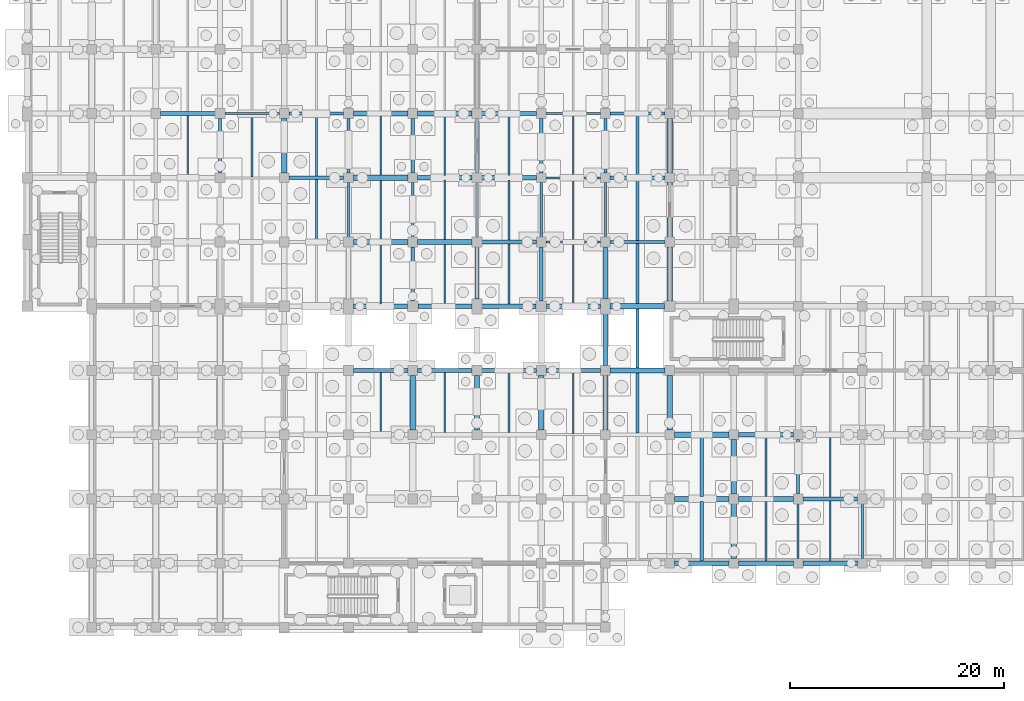
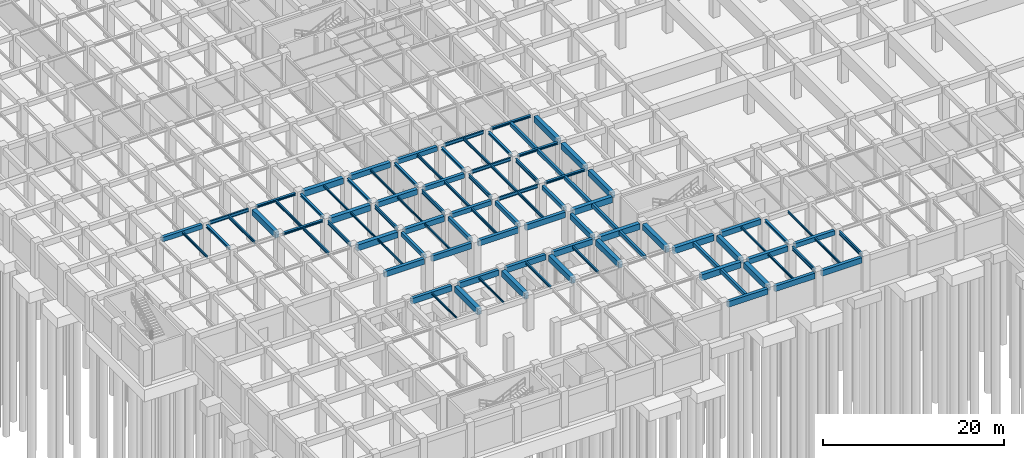
# One storey, part 27 of 54: 98 beams.
"""IFC4 building model written with IfcOpenShell, lengths in metres."""

import ifcopenshell
import ifcopenshell.guid

model = None  # the IFC model being written
_history = None  # IfcOwnerHistory: only IFC2X3 demands one
_inside = {}  # id of a spatial element -> (the spatial element, [elements in it])
_under = {}  # id of a project, library or spatial element -> (it, [spatial elements below it])
_declared = {}  # id of a project -> (the project, [libraries it declares])
_typed = {}  # id of a type object -> (the type object, [elements of that type])
_made_of = {}  # id of a material, layer set ... -> (it, [elements and type objects made of it])


def new_model(schema):
    """Start an empty IFC model of exactly this schema.

    Asked for "IFC4X3", IfcOpenShell would pick the latest addendum, in which some entities
    have other attributes; the version numbers below select the first issue.
    IFC2X3 requires an IfcOwnerHistory on every rooted entity: one is made here for all.
    """
    global model, _history
    if schema == "IFC4X3":
        model = ifcopenshell.file(schema_version=(4, 3, 0, 0))
    else:
        model = ifcopenshell.file(schema=schema)
    _inside.clear()
    _under.clear()
    _declared.clear()
    _typed.clear()
    _made_of.clear()
    _history = None
    if model.schema == "IFC2X3":
        org = make("IfcOrganization", Name="unknown")
        user = make(
            "IfcPersonAndOrganization",
            ThePerson=make("IfcPerson", FamilyName="unknown"),
            TheOrganization=org,
        )
        app = make(
            "IfcApplication",
            ApplicationDeveloper=org,
            Version="unknown",
            ApplicationFullName="unknown",
            ApplicationIdentifier="unknown",
        )
        _history = make(
            "IfcOwnerHistory",
            OwningUser=user,
            OwningApplication=app,
            ChangeAction="ADDED",
            CreationDate=0,
        )
    return model


def make(cls, **values):
    """One entity of the class cls with the attributes given. An attribute that is None is left unset."""
    return model.create_entity(
        cls, **{name: value for name, value in values.items() if value is not None}
    )


def rooted(cls, **values):
    """An entity with a GlobalId (a new one), such as an element, a storey or a relation."""
    return make(cls, GlobalId=ifcopenshell.guid.new(), OwnerHistory=_history, **values)


def si_unit(unit_type, name, prefix=None):
    """IfcSIUnit, for example si_unit("LENGTHUNIT", "METRE", prefix="MILLI")."""
    return make("IfcSIUnit", UnitType=unit_type, Prefix=prefix, Name=name)


def assignment(units):
    """IfcUnitAssignment: the units of a project."""
    return None if units is None else make("IfcUnitAssignment", Units=units)


def point(xyz):
    """IfcCartesianPoint."""
    return None if xyz is None else make("IfcCartesianPoint", Coordinates=xyz)


def direction(xyz):
    """IfcDirection."""
    return None if xyz is None else make("IfcDirection", DirectionRatios=xyz)


def frame(location, z_axis=None, x_axis=None):
    """IfcAxis2Placement3D, a coordinate frame: its origin and axes. An axis left out is left unset."""
    return make(
        "IfcAxis2Placement3D",
        Location=point(location),
        Axis=direction(z_axis),
        RefDirection=direction(x_axis),
    )


def frame_2d(location, x_axis=None):
    """IfcAxis2Placement2D, a coordinate frame in the plane: its origin and x axis."""
    return make(
        "IfcAxis2Placement2D", Location=point(location), RefDirection=direction(x_axis)
    )


def origin():
    """The frame at (0, 0, 0) with its axes left unset."""
    return frame((0.0, 0.0, 0.0))


def origin_2d():
    """The frame at (0, 0) in the plane with its x axis left unset."""
    return frame_2d((0.0, 0.0))


def place(relative_to, where):
    """IfcLocalPlacement: puts the frame where relative to a parent placement (None: the world)."""
    return make(
        "IfcLocalPlacement", PlacementRelTo=relative_to, RelativePlacement=where
    )


def context(
    kind, dimensions, precision=None, world=None, true_north=None, identifier=None
):
    """IfcGeometricRepresentationContext, for example the 3D "Model" context."""
    return make(
        "IfcGeometricRepresentationContext",
        ContextIdentifier=identifier,
        ContextType=kind,
        CoordinateSpaceDimension=dimensions,
        Precision=precision,
        WorldCoordinateSystem=world,
        TrueNorth=true_north,
    )


def subcontext(parent, identifier, kind, view, scale=None):
    """IfcGeometricRepresentationSubContext, for example "Body" below "Model"."""
    return make(
        "IfcGeometricRepresentationSubContext",
        ContextIdentifier=identifier,
        ContextType=kind,
        ParentContext=parent,
        TargetScale=scale,
        TargetView=view,
    )


def project(units=None, contexts=None):
    """IfcProject with its units and contexts."""
    return rooted(
        "IfcProject",
        Name="project",
        RepresentationContexts=contexts,
        UnitsInContext=assignment(units),
    )


def spatial(cls, under=None, at=None, **own):
    """A site, building, storey or space (cls), placed at a placement, below another one or the project."""
    s = rooted(cls, ObjectPlacement=at, **own)
    if under is not None:
        _under.setdefault(under.id(), (under, []))[1].append(s)
    return s


def profile(cls, at=None, kind="AREA", **sizes):
    """A parametric profile (cls). Its sizes go by their IFC names, for example OverallWidth=200.0."""
    return make(cls, ProfileType=kind, Position=at, **sizes)


def rectangle(**sizes):
    """IfcRectangleProfileDef."""
    return profile("IfcRectangleProfileDef", **sizes)


def i_section(**sizes):
    """IfcIShapeProfileDef."""
    return profile("IfcIShapeProfileDef", **sizes)


def extrude(swept, where, along, depth):
    """IfcExtrudedAreaSolid: the profile swept, set in the frame where, extruded along a direction by depth."""
    return make(
        "IfcExtrudedAreaSolid",
        SweptArea=swept,
        Position=where,
        ExtrudedDirection=direction(along),
        Depth=depth,
    )


def shape(context_of_items, identifier, shape_type, items):
    """IfcShapeRepresentation: the items that make up one representation, for example the "Body"."""
    return make(
        "IfcShapeRepresentation",
        ContextOfItems=context_of_items,
        RepresentationIdentifier=identifier,
        RepresentationType=shape_type,
        Items=items,
    )


def material(Name=None, Category=None):
    """IfcMaterial."""
    return make("IfcMaterial", Name=Name, Category=Category)


def material_profile(
    of_material, cross_section, Name=None, Category=None, Priority=None
):
    """IfcMaterialProfile: a cross section and its material."""
    return make(
        "IfcMaterialProfile",
        Name=Name,
        Material=of_material,
        Profile=cross_section,
        Priority=Priority,
        Category=Category,
    )


def profile_set(profiles, Name=None, composite=None):
    """IfcMaterialProfileSet."""
    return make(
        "IfcMaterialProfileSet",
        Name=Name,
        MaterialProfiles=profiles,
        CompositeProfile=composite,
    )


def made_of(thing, what):
    """Note that an element or type object is made of a material, layer set ...; save() writes the relation."""
    if what is not None:
        _made_of.setdefault(what.id(), (what, []))[1].append(thing)
    return thing


def type_object(cls, material=None, **own):
    """A type object (cls), such as IfcWallType, which elements share."""
    return made_of(rooted(cls, **own), material)


def element(
    cls,
    number,
    at=None,
    inside=None,
    cuts=None,
    type_object=None,
    material=None,
    context=None,
    identifier="Body",
    shape_type=None,
    held_by="IfcProductDefinitionShape",
    body=None,
    shapes=None,
    **own,
):
    """One element of the class cls, such as IfcWall. Its Tag is "e" and its number.

    at: its placement. inside: the storey or other place that contains it. cuts: it is an
    opening in that element (IfcRelVoidsElement). A single representation is given by context,
    identifier, shape_type and body (its items); several are given by shapes. held_by: the class
    of the entity that holds the representations. save() writes the other relations.
    """
    e = rooted(cls, Tag="e%d" % number, ObjectPlacement=at, **own)
    if body is not None:
        shapes = [shape(context, identifier, shape_type, body)]
    if shapes is not None:
        e.Representation = make(held_by, Representations=shapes)
    if inside is not None:
        _inside.setdefault(inside.id(), (inside, []))[1].append(e)
    if cuts is not None:
        rooted(
            "IfcRelVoidsElement", RelatingBuildingElement=cuts, RelatedOpeningElement=e
        )
    if type_object is not None:
        _typed.setdefault(type_object.id(), (type_object, []))[1].append(e)
    return made_of(e, material)


def aggregate(whole, parts):
    """IfcRelAggregates: a whole, such as a stair, and the parts it consists of."""
    return rooted("IfcRelAggregates", RelatingObject=whole, RelatedObjects=parts)


def save(model, path):
    """Write the relations noted so far, then the file.

    IfcRelAggregates (storeys below a building ...), IfcRelContainedInSpatialStructure (elements
    in a storey), IfcRelDefinesByType, IfcRelAssociatesMaterial and IfcRelDeclares: one each for
    every whole, place, type object, material and project.
    """
    for whole, parts in _under.values():
        aggregate(whole, parts)
    for where, things in _inside.values():
        rooted(
            "IfcRelContainedInSpatialStructure",
            RelatedElements=things,
            RelatingStructure=where,
        )
    for kind, things in _typed.values():
        rooted("IfcRelDefinesByType", RelatedObjects=things, RelatingType=kind)
    for what, things in _made_of.values():
        rooted("IfcRelAssociatesMaterial", RelatedObjects=things, RelatingMaterial=what)
    for by, libraries in _declared.values():
        rooted("IfcRelDeclares", RelatingContext=by, RelatedDefinitions=libraries)
    model.write(path)


model = new_model("IFC4")

# Units and contexts
model_context = context("Model", 3, precision=1e-05, world=origin(), true_north=direction((0.0, 1.0)))
body_context = subcontext(model_context, "Body", "Model", "MODEL_VIEW")
ifc_project = project(units=[si_unit("LENGTHUNIT", "METRE"), si_unit("AREAUNIT", "SQUARE_METRE"), si_unit("VOLUMEUNIT", "CUBIC_METRE"), si_unit("PLANEANGLEUNIT", "RADIAN"), si_unit("MASSUNIT", "GRAM", prefix="KILO"), si_unit("THERMODYNAMICTEMPERATUREUNIT", "KELVIN"), si_unit("POWERUNIT", "WATT")], contexts=[model_context])

# Site, building, storey
site_placement = place(None, origin())
site = spatial("IfcSite", under=ifc_project, at=site_placement, CompositionType="ELEMENT")
building_placement = place(site_placement, origin())
building = spatial("IfcBuilding", under=site, at=building_placement, Name="Phaisarnlok Congress Hotel", CompositionType="ELEMENT")
storey_placement = place(building_placement, frame((0.0, 0.0, -4.800048828125)))
storey = spatial("IfcBuildingStorey", under=building, at=storey_placement, Name="B01", CompositionType="ELEMENT", Elevation=-4.800048828125)

# Beams
ifc_material_1 = material(Name="Concrete C40/50", Category="concrete")
ifc_material_profile_1 = material_profile(ifc_material_1, rectangle(XDim=0.35009765625, YDim=0.550048828125, at=origin_2d()), Name="RC 350x550")
ifc_profile_set_1 = profile_set([ifc_material_profile_1], Name="Concrete C40/50")
beam_type_1 = type_object("IfcBeamType", Name="BM-RC-350x550", PredefinedType="BEAM", material=ifc_profile_set_1)
beam_1_placement = place(storey_placement, frame((36.0, 42.4951171875, 4.22509765625), z_axis=(0.0, 1.0, 0.0), x_axis=(-1.0, 0.0, 0.0)))
element("IfcBeam", 1, at=beam_1_placement, inside=storey, type_object=beam_type_1, Name="Beam B-01", PredefinedType="BEAM", context=body_context, shape_type="SweptSolid", body=[
    extrude(rectangle(XDim=0.35009765625, YDim=0.550048828125, at=origin_2d()), origin(), (0.0, 0.0, 1.0), 5.059814453125),
])
beam_2_placement = place(storey_placement, frame((42.0, 42.695068359375, 4.22509765625), z_axis=(0.0, 1.0, 0.0), x_axis=(-1.0, 0.0, 0.0)))
element("IfcBeam", 2, at=beam_2_placement, inside=storey, type_object=beam_type_1, Name="Beam B-01", PredefinedType="BEAM", context=body_context, shape_type="SweptSolid", body=[
    extrude(rectangle(XDim=0.35009765625, YDim=0.550048828125, at=origin_2d()), origin(), (0.0, 0.0, 1.0), 4.85986328125),
])
beam_3_placement = place(storey_placement, frame((48.0, 42.4951171875, 4.22509765625), z_axis=(0.0, 1.0, 0.0), x_axis=(-1.0, 0.0, 0.0)))
element("IfcBeam", 3, at=beam_3_placement, inside=storey, type_object=beam_type_1, Name="Beam B-01", PredefinedType="BEAM", context=body_context, shape_type="SweptSolid", body=[
    extrude(rectangle(XDim=0.35009765625, YDim=0.550048828125, at=origin_2d()), origin(), (0.0, 0.0, 1.0), 5.059814453125),
])
beam_4_placement = place(storey_placement, frame((54.0, 42.695068359375, 4.22509765625), z_axis=(0.0, 1.0, 0.0), x_axis=(-1.0, 0.0, 0.0)))
element("IfcBeam", 4, at=beam_4_placement, inside=storey, type_object=beam_type_1, Name="Beam B-01", PredefinedType="BEAM", context=body_context, shape_type="SweptSolid", body=[
    extrude(rectangle(XDim=0.35009765625, YDim=0.550048828125, at=origin_2d()), origin(), (0.0, 0.0, 1.0), 4.85986328125),
])
ifc_material_profile_2 = material_profile(ifc_material_1, rectangle(XDim=0.39990234375, YDim=0.60009765625, at=origin_2d()), Name="RC 400x600")
ifc_profile_set_2 = profile_set([ifc_material_profile_2], Name="Concrete C40/50")
beam_type_2 = type_object("IfcBeamType", Name="BM-RC-400x600", PredefinedType="BEAM", material=ifc_profile_set_2)
for number, where, z_axis, x_axis, name in (
    (5, (12.445068359375, 60.0, 4.199951171875), (1.0, 0.0, 0.0), (0.0, 1.0, 0.0), "Beam B-02"),
    (6, (42.445068359375, 48.0, 4.199951171875), (1.0, 0.0, 0.0), (0.0, 1.0, 0.0), "Beam B-02"),
    (7, (42.445068359375, 54.0, 4.199951171875), (1.0, 0.0, 0.0), (0.0, 1.0, 0.0), "Beam B-02"),
    (8, (42.445068359375, 60.0, 4.199951171875), (1.0, 0.0, 0.0), (0.0, 1.0, 0.0), "Beam B-02"),
    (9, (72.445068359375, 24.0, 4.199951171875), (1.0, 0.0, 0.0), (0.0, 1.0, 0.0), "Beam B-02"),
):
    element("IfcBeam", number, at=place(storey_placement, frame(where, z_axis=z_axis, x_axis=x_axis)), inside=storey, type_object=beam_type_2, Name=name, PredefinedType="BEAM", context=body_context, shape_type="SweptSolid", body=[
        extrude(rectangle(XDim=0.39990234375, YDim=0.60009765625, at=origin_2d()), origin(), (0.0, 0.0, 1.0), 5.10986328125),
    ])
ifc_material_profile_3 = material_profile(ifc_material_1, rectangle(XDim=0.449951171875, YDim=0.699951171875, at=origin_2d()), Name="RC 450x700")
ifc_profile_set_3 = profile_set([ifc_material_profile_3], Name="Concrete C40/50")
beam_type_3 = type_object("IfcBeamType", Name="BM-RC-450x700", PredefinedType="BEAM", material=ifc_profile_set_3)
for number, where, z_axis, x_axis, name in (
    (10, (36.445068359375, 48.0, 4.150146484375), (1.0, 0.0, 0.0), (0.0, 1.0, 0.0), "Beam B-03"),
    (11, (36.445068359375, 54.0, 4.150146484375), (1.0, 0.0, 0.0), (0.0, 1.0, 0.0), "Beam B-03"),
    (12, (36.445068359375, 60.0, 4.150146484375), (1.0, 0.0, 0.0), (0.0, 1.0, 0.0), "Beam B-03"),
    (13, (66.445068359375, 24.0, 4.150146484375), (1.0, 0.0, 0.0), (0.0, 1.0, 0.0), "Beam B-03"),
    (14, (66.445068359375, 30.0, 4.150146484375), (1.0, 0.0, 0.0), (0.0, 1.0, 0.0), "Beam B-03"),
):
    element("IfcBeam", number, at=place(storey_placement, frame(where, z_axis=z_axis, x_axis=x_axis)), inside=storey, type_object=beam_type_3, Name=name, PredefinedType="BEAM", context=body_context, shape_type="SweptSolid", body=[
        extrude(rectangle(XDim=0.449951171875, YDim=0.699951171875, at=origin_2d()), origin(), (0.0, 0.0, 1.0), 5.10986328125),
    ])
ifc_material_profile_4 = material_profile(ifc_material_1, rectangle(XDim=0.5, YDim=0.800048828125, at=origin_2d()), Name="RC 500x800")
ifc_profile_set_4 = profile_set([ifc_material_profile_4], Name="Concrete C40/50")
beam_type_4 = type_object("IfcBeamType", Name="BM-RC-500x800", PredefinedType="BEAM", material=ifc_profile_set_4)
for number, where, z_axis, x_axis, name in (
    (15, (24.0, 54.445068359375, 4.10009765625), (0.0, 1.0, 0.0), (-1.0, 0.0, 0.0), "Beam B-04"),
    (16, (30.445068359375, 48.0, 4.10009765625), (1.0, 0.0, 0.0), (0.0, 1.0, 0.0), "Beam B-04"),
    (17, (30.445068359375, 54.0, 4.10009765625), (1.0, 0.0, 0.0), (0.0, 1.0, 0.0), "Beam B-04"),
    (18, (30.445068359375, 60.0, 4.10009765625), (1.0, 0.0, 0.0), (0.0, 1.0, 0.0), "Beam B-04"),
    (19, (36.0, 30.445068359375, 4.10009765625), (0.0, 1.0, 0.0), (-1.0, 0.0, 0.0), "Beam B-04"),
    (20, (42.0, 30.445068359375, 4.10009765625), (0.0, 1.0, 0.0), (-1.0, 0.0, 0.0), "Beam B-04"),
    (21, (48.0, 30.445068359375, 4.10009765625), (0.0, 1.0, 0.0), (-1.0, 0.0, 0.0), "Beam B-04"),
    (22, (54.0, 30.445068359375, 4.10009765625), (0.0, 1.0, 0.0), (-1.0, 0.0, 0.0), "Beam B-04"),
    (23, (54.445068359375, 36.0, 4.10009765625), (1.0, 0.0, 0.0), (0.0, 1.0, 0.0), "Beam B-04"),
):
    element("IfcBeam", number, at=place(storey_placement, frame(where, z_axis=z_axis, x_axis=x_axis)), inside=storey, type_object=beam_type_4, Name=name, PredefinedType="BEAM", context=body_context, shape_type="SweptSolid", body=[
        extrude(rectangle(XDim=0.5, YDim=0.800048828125, at=origin_2d()), origin(), (0.0, 0.0, 1.0), 5.10986328125),
    ])
beam_5_placement = place(storey_placement, frame((54.445068359375, 42.0, 4.10009765625), z_axis=(1.0, 0.0, 0.0), x_axis=(0.0, 1.0, 0.0)))
element("IfcBeam", 24, at=beam_5_placement, inside=storey, type_object=beam_type_4, Name="Beam B-04", PredefinedType="BEAM", context=body_context, shape_type="SweptSolid", body=[
    extrude(rectangle(XDim=0.5, YDim=0.800048828125, at=origin_2d()), origin(), (0.0, 0.0, 1.0), 5.059814453125),
])
for number, where, z_axis, x_axis, name in (
    (25, (60.445068359375, 24.0, 4.10009765625), (1.0, 0.0, 0.0), (0.0, 1.0, 0.0), "Beam B-04"),
    (26, (60.445068359375, 30.0, 4.10009765625), (1.0, 0.0, 0.0), (0.0, 1.0, 0.0), "Beam B-04"),
    (27, (60.0, 30.445068359375, 4.10009765625), (0.0, 1.0, 0.0), (-1.0, 0.0, 0.0), "Beam B-04"),
):
    element("IfcBeam", number, at=place(storey_placement, frame(where, z_axis=z_axis, x_axis=x_axis)), inside=storey, type_object=beam_type_4, Name=name, PredefinedType="BEAM", context=body_context, shape_type="SweptSolid", body=[
        extrude(rectangle(XDim=0.5, YDim=0.800048828125, at=origin_2d()), origin(), (0.0, 0.0, 1.0), 5.10986328125),
    ])
beam_6_placement = place(storey_placement, frame((60.0, 42.4951171875, 4.10009765625), z_axis=(0.0, 1.0, 0.0), x_axis=(-1.0, 0.0, 0.0)))
element("IfcBeam", 28, at=beam_6_placement, inside=storey, type_object=beam_type_4, Name="Beam B-04", PredefinedType="BEAM", context=body_context, shape_type="SweptSolid", body=[
    extrude(rectangle(XDim=0.5, YDim=0.800048828125, at=origin_2d()), origin(), (0.0, 0.0, 1.0), 5.059814453125),
])
for number, where, z_axis, x_axis, name in (
    (29, (60.0, 48.445068359375, 4.10009765625), (0.0, 1.0, 0.0), (-1.0, 0.0, 0.0), "Beam B-04"),
    (30, (60.0, 54.445068359375, 4.10009765625), (0.0, 1.0, 0.0), (-1.0, 0.0, 0.0), "Beam B-04"),
    (31, (66.0, 18.445068359375, 4.10009765625), (0.0, 1.0, 0.0), (-1.0, 0.0, 0.0), "Beam B-04"),
    (32, (66.0, 24.445068359375, 4.10009765625), (0.0, 1.0, 0.0), (-1.0, 0.0, 0.0), "Beam B-04"),
):
    element("IfcBeam", number, at=place(storey_placement, frame(where, z_axis=z_axis, x_axis=x_axis)), inside=storey, type_object=beam_type_4, Name=name, PredefinedType="BEAM", context=body_context, shape_type="SweptSolid", body=[
        extrude(rectangle(XDim=0.5, YDim=0.800048828125, at=origin_2d()), origin(), (0.0, 0.0, 1.0), 5.10986328125),
    ])
ifc_material_2 = material(Name="Steel S355", Category="steel")
ifc_material_profile_5 = material_profile(ifc_material_2, i_section(OverallWidth=0.300048828125, OverallDepth=0.2900390625, WebThickness=0.008544921875, FlangeThickness=0.013916015625, FilletRadius=0.027099609375, at=origin_2d()), Name="HEA 300")
ifc_profile_set_5 = profile_set([ifc_material_profile_5], Name="Steel S355")
beam_type_5 = type_object("IfcBeamType", Name="BM-STL-HEA300", PredefinedType="BEAM", material=ifc_profile_set_5)
for number, where, z_axis, x_axis, name in (
    (33, (24.445068359375, 54.0, 4.35498046875), (1.0, 0.0, 0.0), (0.0, 1.0, 0.0), "Beam SB-05"),
    (34, (24.445068359375, 60.0, 4.35498046875), (1.0, 0.0, 0.0), (0.0, 1.0, 0.0), "Beam SB-05"),
    (35, (54.445068359375, 48.0, 4.35498046875), (1.0, 0.0, 0.0), (0.0, 1.0, 0.0), "Beam SB-05"),
    (36, (54.445068359375, 54.0, 4.35498046875), (1.0, 0.0, 0.0), (0.0, 1.0, 0.0), "Beam SB-05"),
    (37, (54.445068359375, 60.0, 4.35498046875), (1.0, 0.0, 0.0), (0.0, 1.0, 0.0), "Beam SB-05"),
):
    element("IfcBeam", number, at=place(storey_placement, frame(where, z_axis=z_axis, x_axis=x_axis)), inside=storey, type_object=beam_type_5, Name=name, PredefinedType="BEAM", context=body_context, shape_type="SweptSolid", body=[
        extrude(i_section(OverallWidth=0.300048828125, OverallDepth=0.2900390625, WebThickness=0.008544921875, FlangeThickness=0.013916015625, FilletRadius=0.027099609375, at=origin_2d()), origin(), (0.0, 0.0, 1.0), 5.10986328125),
    ])
ifc_material_profile_6 = material_profile(ifc_material_2, i_section(OverallWidth=0.300048828125, OverallDepth=0.340087890625, WebThickness=0.011962890625, FlangeThickness=0.021484375, FilletRadius=0.027099609375, at=origin_2d()), Name="HEB 340")
ifc_profile_set_6 = profile_set([ifc_material_profile_6], Name="Steel S355")
beam_type_6 = type_object("IfcBeamType", Name="BM-STL-HEB340", PredefinedType="BEAM", material=ifc_profile_set_6)
for number, where, z_axis, x_axis, name in (
    (38, (18.0, 54.445068359375, 4.330078125), (0.0, 1.0, 0.0), (-1.0, 0.0, 0.0), "Beam SB-07"),
    (39, (30.0, 54.445068359375, 4.330078125), (0.0, 1.0, 0.0), (-1.0, 0.0, 0.0), "Beam SB-07"),
    (40, (36.0, 54.445068359375, 4.330078125), (0.0, 1.0, 0.0), (-1.0, 0.0, 0.0), "Beam SB-07"),
    (41, (42.0, 54.445068359375, 4.330078125), (0.0, 1.0, 0.0), (-1.0, 0.0, 0.0), "Beam SB-07"),
    (42, (48.0, 54.445068359375, 4.330078125), (0.0, 1.0, 0.0), (-1.0, 0.0, 0.0), "Beam SB-07"),
    (43, (54.0, 54.445068359375, 4.330078125), (0.0, 1.0, 0.0), (-1.0, 0.0, 0.0), "Beam SB-07"),
    (44, (72.0, 24.445068359375, 4.330078125), (0.0, 1.0, 0.0), (-1.0, 0.0, 0.0), "Beam SB-07"),
):
    element("IfcBeam", number, at=place(storey_placement, frame(where, z_axis=z_axis, x_axis=x_axis)), inside=storey, type_object=beam_type_6, Name=name, PredefinedType="BEAM", context=body_context, shape_type="SweptSolid", body=[
        extrude(i_section(OverallWidth=0.300048828125, OverallDepth=0.340087890625, WebThickness=0.011962890625, FlangeThickness=0.021484375, FilletRadius=0.027099609375, at=origin_2d()), origin(), (0.0, 0.0, 1.0), 5.10986328125),
    ])
ifc_material_profile_7 = material_profile(ifc_material_2, i_section(OverallWidth=0.18994140625, OverallDepth=0.449951171875, WebThickness=0.009521484375, FlangeThickness=0.0146484375, FilletRadius=0.02099609375, at=origin_2d()), Name="IPE 450")
ifc_profile_set_7 = profile_set([ifc_material_profile_7], Name="Steel S355")
beam_type_7 = type_object("IfcBeamType", Name="BM-STL-IPE450", PredefinedType="BEAM", material=ifc_profile_set_7)
for number, where, z_axis, x_axis, name in (
    (45, (18.445068359375, 60.0, 4.275146484375), (1.0, 0.0, 0.0), (0.0, 1.0, 0.0), "Beam SB-01"),
    (46, (48.445068359375, 48.0, 4.275146484375), (1.0, 0.0, 0.0), (0.0, 1.0, 0.0), "Beam SB-01"),
    (47, (48.445068359375, 54.0, 4.275146484375), (1.0, 0.0, 0.0), (0.0, 1.0, 0.0), "Beam SB-01"),
    (48, (48.445068359375, 60.0, 4.275146484375), (1.0, 0.0, 0.0), (0.0, 1.0, 0.0), "Beam SB-01"),
):
    element("IfcBeam", number, at=place(storey_placement, frame(where, z_axis=z_axis, x_axis=x_axis)), inside=storey, type_object=beam_type_7, Name=name, PredefinedType="BEAM", context=body_context, shape_type="SweptSolid", body=[
        extrude(i_section(OverallWidth=0.18994140625, OverallDepth=0.449951171875, WebThickness=0.009521484375, FlangeThickness=0.0146484375, FilletRadius=0.02099609375, at=origin_2d()), origin(), (0.0, 0.0, 1.0), 5.10986328125),
    ])
ifc_material_profile_8 = material_profile(ifc_material_2, i_section(OverallWidth=0.199951171875, OverallDepth=0.5, WebThickness=0.01025390625, FlangeThickness=0.01611328125, FilletRadius=0.02099609375, at=origin_2d()), Name="IPE 500")
ifc_profile_set_8 = profile_set([ifc_material_profile_8], Name="Steel S355")
beam_type_8 = type_object("IfcBeamType", Name="BM-STL-IPE500", PredefinedType="BEAM", material=ifc_profile_set_8)
for number, where, z_axis, x_axis, name in (
    (49, (30.0, 48.445068359375, 4.25), (0.0, 1.0, 0.0), (-1.0, 0.0, 0.0), "Beam SB-02"),
    (50, (36.0, 48.445068359375, 4.25), (0.0, 1.0, 0.0), (-1.0, 0.0, 0.0), "Beam SB-02"),
    (51, (42.0, 48.445068359375, 4.25), (0.0, 1.0, 0.0), (-1.0, 0.0, 0.0), "Beam SB-02"),
    (52, (48.0, 48.445068359375, 4.25), (0.0, 1.0, 0.0), (-1.0, 0.0, 0.0), "Beam SB-02"),
    (53, (54.0, 48.445068359375, 4.25), (0.0, 1.0, 0.0), (-1.0, 0.0, 0.0), "Beam SB-02"),
    (54, (72.0, 18.445068359375, 4.25), (0.0, 1.0, 0.0), (-1.0, 0.0, 0.0), "Beam SB-02"),
    (55, (78.0, 18.445068359375, 4.25), (0.0, 1.0, 0.0), (-1.0, 0.0, 0.0), "Beam SB-02"),
):
    element("IfcBeam", number, at=place(storey_placement, frame(where, z_axis=z_axis, x_axis=x_axis)), inside=storey, type_object=beam_type_8, Name=name, PredefinedType="BEAM", context=body_context, shape_type="SweptSolid", body=[
        extrude(i_section(OverallWidth=0.199951171875, OverallDepth=0.5, WebThickness=0.01025390625, FlangeThickness=0.01611328125, FilletRadius=0.02099609375, at=origin_2d()), origin(), (0.0, 0.0, 1.0), 5.10986328125),
    ])
ifc_material_profile_9 = material_profile(ifc_material_1, rectangle(XDim=0.300048828125, YDim=0.5, at=origin_2d()), Name="RC 300x500")
ifc_profile_set_9 = profile_set([ifc_material_profile_9], Name="Concrete C40/50")
beam_type_9 = type_object("IfcBeamType", Name="JS-RC-300x500", PredefinedType="JOIST", material=ifc_profile_set_9)
beam_7_placement = place(storey_placement, frame((57.0, 30.14501953125, 4.25), z_axis=(0.0, 1.0, 0.0), x_axis=(-1.0, 0.0, 0.0)))
element("IfcBeam", 56, at=beam_7_placement, inside=storey, type_object=beam_type_9, Name="Secondary floor joist J-01", PredefinedType="JOIST", context=body_context, shape_type="SweptSolid", body=[
    extrude(rectangle(XDim=0.300048828125, YDim=0.5, at=origin_2d()), origin(), (0.0, 0.0, 1.0), 5.60986328125),
])
beam_8_placement = place(storey_placement, frame((57.0, 36.2451171875, 4.25), z_axis=(0.0, 1.0, 0.0), x_axis=(-1.0, 0.0, 0.0)))
element("IfcBeam", 57, at=beam_8_placement, inside=storey, type_object=beam_type_9, Name="Secondary floor joist J-01", PredefinedType="JOIST", context=body_context, shape_type="SweptSolid", body=[
    extrude(rectangle(XDim=0.300048828125, YDim=0.5, at=origin_2d()), origin(), (0.0, 0.0, 1.0), 5.509765625),
])
beam_9_placement = place(storey_placement, frame((57.0, 42.2451171875, 4.25), z_axis=(0.0, 1.0, 0.0), x_axis=(-1.0, 0.0, 0.0)))
element("IfcBeam", 58, at=beam_9_placement, inside=storey, type_object=beam_type_9, Name="Secondary floor joist J-01", PredefinedType="JOIST", context=body_context, shape_type="SweptSolid", body=[
    extrude(rectangle(XDim=0.300048828125, YDim=0.5, at=origin_2d()), origin(), (0.0, 0.0, 1.0), 5.60986328125),
])
for number, where, z_axis, x_axis, name in (
    (59, (57.0, 48.14501953125, 4.25), (0.0, 1.0, 0.0), (-1.0, 0.0, 0.0), "Secondary floor joist J-01"),
    (60, (57.0, 54.14501953125, 4.25), (0.0, 1.0, 0.0), (-1.0, 0.0, 0.0), "Secondary floor joist J-01"),
):
    element("IfcBeam", number, at=place(storey_placement, frame(where, z_axis=z_axis, x_axis=x_axis)), inside=storey, type_object=beam_type_9, Name=name, PredefinedType="JOIST", context=body_context, shape_type="SweptSolid", body=[
        extrude(rectangle(XDim=0.300048828125, YDim=0.5, at=origin_2d()), origin(), (0.0, 0.0, 1.0), 5.7099609375),
    ])
beam_10_placement = place(storey_placement, frame((63.0, 18.195068359375, 4.25), z_axis=(0.0, 1.0, 0.0), x_axis=(-1.0, 0.0, 0.0)))
element("IfcBeam", 61, at=beam_10_placement, inside=storey, type_object=beam_type_9, Name="Secondary floor joist J-01", PredefinedType="JOIST", context=body_context, shape_type="SweptSolid", body=[
    extrude(rectangle(XDim=0.300048828125, YDim=0.5, at=origin_2d()), origin(), (0.0, 0.0, 1.0), 5.559814453125),
])
beam_11_placement = place(storey_placement, frame((63.0, 24.2451171875, 4.25), z_axis=(0.0, 1.0, 0.0), x_axis=(-1.0, 0.0, 0.0)))
element("IfcBeam", 62, at=beam_11_placement, inside=storey, type_object=beam_type_9, Name="Secondary floor joist J-01", PredefinedType="JOIST", context=body_context, shape_type="SweptSolid", body=[
    extrude(rectangle(XDim=0.300048828125, YDim=0.5, at=origin_2d()), origin(), (0.0, 0.0, 1.0), 5.509765625),
])
ifc_material_profile_10 = material_profile(ifc_material_2, i_section(OverallWidth=0.135009765625, OverallDepth=0.27001953125, WebThickness=0.006591796875, FlangeThickness=0.01025390625, FilletRadius=0.014892578125, at=origin_2d()), Name="IPE 270")
ifc_profile_set_10 = profile_set([ifc_material_profile_10], Name="Steel S355")
beam_type_10 = type_object("IfcBeamType", Name="JS-STL-IPE270", PredefinedType="JOIST", material=ifc_profile_set_10)
beam_12_placement = place(storey_placement, frame((33.0, 30.195068359375, 4.364990234375), z_axis=(0.0, 1.0, 0.0), x_axis=(-1.0, 0.0, 0.0)))
element("IfcBeam", 63, at=beam_12_placement, inside=storey, type_object=beam_type_10, Name="Secondary floor joist J-02", PredefinedType="JOIST", context=body_context, shape_type="SweptSolid", body=[
    extrude(i_section(OverallWidth=0.135009765625, OverallDepth=0.27001953125, WebThickness=0.006591796875, FlangeThickness=0.01025390625, FilletRadius=0.014892578125, at=origin_2d()), origin(), (0.0, 0.0, 1.0), 5.60986328125),
])
beam_13_placement = place(storey_placement, frame((33.0, 42.195068359375, 4.364990234375), z_axis=(0.0, 1.0, 0.0), x_axis=(-1.0, 0.0, 0.0)))
element("IfcBeam", 64, at=beam_13_placement, inside=storey, type_object=beam_type_10, Name="Secondary floor joist J-02", PredefinedType="JOIST", context=body_context, shape_type="SweptSolid", body=[
    extrude(i_section(OverallWidth=0.135009765625, OverallDepth=0.27001953125, WebThickness=0.006591796875, FlangeThickness=0.01025390625, FilletRadius=0.014892578125, at=origin_2d()), origin(), (0.0, 0.0, 1.0), 5.559814453125),
])
for number, where, z_axis, x_axis, name in (
    (65, (33.0, 48.2451171875, 4.364990234375), (0.0, 1.0, 0.0), (-1.0, 0.0, 0.0), "Secondary floor joist J-02"),
    (66, (33.0, 54.2451171875, 4.364990234375), (0.0, 1.0, 0.0), (-1.0, 0.0, 0.0), "Secondary floor joist J-02"),
):
    element("IfcBeam", number, at=place(storey_placement, frame(where, z_axis=z_axis, x_axis=x_axis)), inside=storey, type_object=beam_type_10, Name=name, PredefinedType="JOIST", context=body_context, shape_type="SweptSolid", body=[
        extrude(i_section(OverallWidth=0.135009765625, OverallDepth=0.27001953125, WebThickness=0.006591796875, FlangeThickness=0.01025390625, FilletRadius=0.014892578125, at=origin_2d()), origin(), (0.0, 0.0, 1.0), 5.509765625),
    ])
beam_14_placement = place(storey_placement, frame((39.0, 30.195068359375, 4.364990234375), z_axis=(0.0, 1.0, 0.0), x_axis=(-1.0, 0.0, 0.0)))
element("IfcBeam", 67, at=beam_14_placement, inside=storey, type_object=beam_type_10, Name="Secondary floor joist J-02", PredefinedType="JOIST", context=body_context, shape_type="SweptSolid", body=[
    extrude(i_section(OverallWidth=0.135009765625, OverallDepth=0.27001953125, WebThickness=0.006591796875, FlangeThickness=0.01025390625, FilletRadius=0.014892578125, at=origin_2d()), origin(), (0.0, 0.0, 1.0), 5.60986328125),
])
beam_15_placement = place(storey_placement, frame((39.0, 42.195068359375, 4.364990234375), z_axis=(0.0, 1.0, 0.0), x_axis=(-1.0, 0.0, 0.0)))
element("IfcBeam", 68, at=beam_15_placement, inside=storey, type_object=beam_type_10, Name="Secondary floor joist J-02", PredefinedType="JOIST", context=body_context, shape_type="SweptSolid", body=[
    extrude(i_section(OverallWidth=0.135009765625, OverallDepth=0.27001953125, WebThickness=0.006591796875, FlangeThickness=0.01025390625, FilletRadius=0.014892578125, at=origin_2d()), origin(), (0.0, 0.0, 1.0), 5.5849609375),
])
for number, where, z_axis, x_axis, name in (
    (69, (39.0, 48.219970703125, 4.364990234375), (0.0, 1.0, 0.0), (-1.0, 0.0, 0.0), "Secondary floor joist J-02"),
    (70, (39.0, 54.219970703125, 4.364990234375), (0.0, 1.0, 0.0), (-1.0, 0.0, 0.0), "Secondary floor joist J-02"),
):
    element("IfcBeam", number, at=place(storey_placement, frame(where, z_axis=z_axis, x_axis=x_axis)), inside=storey, type_object=beam_type_10, Name=name, PredefinedType="JOIST", context=body_context, shape_type="SweptSolid", body=[
        extrude(i_section(OverallWidth=0.135009765625, OverallDepth=0.27001953125, WebThickness=0.006591796875, FlangeThickness=0.01025390625, FilletRadius=0.014892578125, at=origin_2d()), origin(), (0.0, 0.0, 1.0), 5.56005859375),
    ])
ifc_material_profile_11 = material_profile(ifc_material_2, i_section(OverallWidth=0.14990234375, OverallDepth=0.300048828125, WebThickness=0.007080078125, FlangeThickness=0.0107421875, FilletRadius=0.014892578125, at=origin_2d()), Name="IPE 300")
ifc_profile_set_11 = profile_set([ifc_material_profile_11], Name="Steel S355")
beam_type_11 = type_object("IfcBeamType", Name="JS-STL-IPE300", PredefinedType="JOIST", material=ifc_profile_set_11)
beam_16_placement = place(storey_placement, frame((15.0, 54.195068359375, 4.35009765625), z_axis=(0.0, 1.0, 0.0), x_axis=(-1.0, 0.0, 0.0)))
element("IfcBeam", 71, at=beam_16_placement, inside=storey, type_object=beam_type_11, Name="Secondary floor joist J-03", PredefinedType="JOIST", context=body_context, shape_type="SweptSolid", body=[
    extrude(i_section(OverallWidth=0.14990234375, OverallDepth=0.300048828125, WebThickness=0.007080078125, FlangeThickness=0.0107421875, FilletRadius=0.014892578125, at=origin_2d()), origin(), (0.0, 0.0, 1.0), 5.60986328125),
])
beam_17_placement = place(storey_placement, frame((69.0, 18.195068359375, 4.35009765625), z_axis=(0.0, 1.0, 0.0), x_axis=(-1.0, 0.0, 0.0)))
element("IfcBeam", 72, at=beam_17_placement, inside=storey, type_object=beam_type_11, Name="Secondary floor joist J-03", PredefinedType="JOIST", context=body_context, shape_type="SweptSolid", body=[
    extrude(i_section(OverallWidth=0.14990234375, OverallDepth=0.300048828125, WebThickness=0.007080078125, FlangeThickness=0.0107421875, FilletRadius=0.014892578125, at=origin_2d()), origin(), (0.0, 0.0, 1.0), 5.5849609375),
])
beam_18_placement = place(storey_placement, frame((69.0, 24.219970703125, 4.35009765625), z_axis=(0.0, 1.0, 0.0), x_axis=(-1.0, 0.0, 0.0)))
element("IfcBeam", 73, at=beam_18_placement, inside=storey, type_object=beam_type_11, Name="Secondary floor joist J-03", PredefinedType="JOIST", context=body_context, shape_type="SweptSolid", body=[
    extrude(i_section(OverallWidth=0.14990234375, OverallDepth=0.300048828125, WebThickness=0.007080078125, FlangeThickness=0.0107421875, FilletRadius=0.014892578125, at=origin_2d()), origin(), (0.0, 0.0, 1.0), 5.56005859375),
])
for number, where, z_axis, x_axis, name in (
    (74, (75.0, 18.195068359375, 4.35009765625), (0.0, 1.0, 0.0), (-1.0, 0.0, 0.0), "Secondary floor joist J-03"),
    (75, (75.0, 24.195068359375, 4.35009765625), (0.0, 1.0, 0.0), (-1.0, 0.0, 0.0), "Secondary floor joist J-03"),
):
    element("IfcBeam", number, at=place(storey_placement, frame(where, z_axis=z_axis, x_axis=x_axis)), inside=storey, type_object=beam_type_11, Name=name, PredefinedType="JOIST", context=body_context, shape_type="SweptSolid", body=[
        extrude(i_section(OverallWidth=0.14990234375, OverallDepth=0.300048828125, WebThickness=0.007080078125, FlangeThickness=0.0107421875, FilletRadius=0.014892578125, at=origin_2d()), origin(), (0.0, 0.0, 1.0), 5.60986328125),
    ])
ifc_material_profile_12 = material_profile(ifc_material_2, i_section(OverallWidth=0.169921875, OverallDepth=0.360107421875, WebThickness=0.008056640625, FlangeThickness=0.0126953125, FilletRadius=0.01806640625, at=origin_2d()), Name="IPE 360")
ifc_profile_set_12 = profile_set([ifc_material_profile_12], Name="Steel S355")
beam_type_12 = type_object("IfcBeamType", Name="JS-STL-IPE360", PredefinedType="JOIST", material=ifc_profile_set_12)
for number, where, z_axis, x_axis, name in (
    (76, (45.0, 30.195068359375, 4.320068359375), (0.0, 1.0, 0.0), (-1.0, 0.0, 0.0), "Secondary floor joist J-04"),
    (77, (45.0, 42.195068359375, 4.320068359375), (0.0, 1.0, 0.0), (-1.0, 0.0, 0.0), "Secondary floor joist J-04"),
    (78, (45.0, 48.195068359375, 4.320068359375), (0.0, 1.0, 0.0), (-1.0, 0.0, 0.0), "Secondary floor joist J-04"),
    (79, (45.0, 54.195068359375, 4.320068359375), (0.0, 1.0, 0.0), (-1.0, 0.0, 0.0), "Secondary floor joist J-04"),
):
    element("IfcBeam", number, at=place(storey_placement, frame(where, z_axis=z_axis, x_axis=x_axis)), inside=storey, type_object=beam_type_12, Name=name, PredefinedType="JOIST", context=body_context, shape_type="SweptSolid", body=[
        extrude(i_section(OverallWidth=0.169921875, OverallDepth=0.360107421875, WebThickness=0.008056640625, FlangeThickness=0.0126953125, FilletRadius=0.01806640625, at=origin_2d()), origin(), (0.0, 0.0, 1.0), 5.60986328125),
    ])
for number, where, z_axis, x_axis, name in (
    (80, (51.0, 30.090087890625, 4.320068359375), (0.0, 1.0, 0.0), (-1.0, 0.0, 0.0), "Secondary floor joist J-04"),
    (81, (51.0, 42.195068359375, 4.320068359375), (0.0, 1.0, 0.0), (-1.0, 0.0, 0.0), "Secondary floor joist J-04"),
):
    element("IfcBeam", number, at=place(storey_placement, frame(where, z_axis=z_axis, x_axis=x_axis)), inside=storey, type_object=beam_type_12, Name=name, PredefinedType="JOIST", context=body_context, shape_type="SweptSolid", body=[
        extrude(i_section(OverallWidth=0.169921875, OverallDepth=0.360107421875, WebThickness=0.008056640625, FlangeThickness=0.0126953125, FilletRadius=0.01806640625, at=origin_2d()), origin(), (0.0, 0.0, 1.0), 5.71484375),
    ])
for number, where, z_axis, x_axis, name in (
    (82, (51.0, 48.090087890625, 4.320068359375), (0.0, 1.0, 0.0), (-1.0, 0.0, 0.0), "Secondary floor joist J-04"),
    (83, (51.0, 54.090087890625, 4.320068359375), (0.0, 1.0, 0.0), (-1.0, 0.0, 0.0), "Secondary floor joist J-04"),
):
    element("IfcBeam", number, at=place(storey_placement, frame(where, z_axis=z_axis, x_axis=x_axis)), inside=storey, type_object=beam_type_12, Name=name, PredefinedType="JOIST", context=body_context, shape_type="SweptSolid", body=[
        extrude(i_section(OverallWidth=0.169921875, OverallDepth=0.360107421875, WebThickness=0.008056640625, FlangeThickness=0.0126953125, FilletRadius=0.01806640625, at=origin_2d()), origin(), (0.0, 0.0, 1.0), 5.81982421875),
    ])
ifc_material_profile_13 = material_profile(ifc_material_2, i_section(OverallWidth=0.179931640625, OverallDepth=0.39990234375, WebThickness=0.008544921875, FlangeThickness=0.013427734375, FilletRadius=0.02099609375, at=origin_2d()), Name="IPE 400")
ifc_profile_set_13 = profile_set([ifc_material_profile_13], Name="Steel S355")
beam_type_13 = type_object("IfcBeamType", Name="JS-STL-IPE400", PredefinedType="JOIST", material=ifc_profile_set_13)
beam_19_placement = place(storey_placement, frame((21.0, 54.090087890625, 4.300048828125), z_axis=(0.0, 1.0, 0.0), x_axis=(-1.0, 0.0, 0.0)))
element("IfcBeam", 84, at=beam_19_placement, inside=storey, type_object=beam_type_13, Name="Secondary floor joist J-05", PredefinedType="JOIST", context=body_context, shape_type="SweptSolid", body=[
    extrude(i_section(OverallWidth=0.179931640625, OverallDepth=0.39990234375, WebThickness=0.008544921875, FlangeThickness=0.013427734375, FilletRadius=0.02099609375, at=origin_2d()), origin(), (0.0, 0.0, 1.0), 5.81982421875),
])
for number, where, z_axis, x_axis, name in (
    (85, (27.0, 48.14501953125, 4.300048828125), (0.0, 1.0, 0.0), (-1.0, 0.0, 0.0), "Secondary floor joist J-05"),
    (86, (27.0, 54.14501953125, 4.300048828125), (0.0, 1.0, 0.0), (-1.0, 0.0, 0.0), "Secondary floor joist J-05"),
):
    element("IfcBeam", number, at=place(storey_placement, frame(where, z_axis=z_axis, x_axis=x_axis)), inside=storey, type_object=beam_type_13, Name=name, PredefinedType="JOIST", context=body_context, shape_type="SweptSolid", body=[
        extrude(i_section(OverallWidth=0.179931640625, OverallDepth=0.39990234375, WebThickness=0.008544921875, FlangeThickness=0.013427734375, FilletRadius=0.02099609375, at=origin_2d()), origin(), (0.0, 0.0, 1.0), 5.7099609375),
    ])
ifc_material_profile_14 = material_profile(ifc_material_1, rectangle(XDim=0.39990234375, YDim=0.75, at=origin_2d()), Name="RC 400x750")
ifc_profile_set_14 = profile_set([ifc_material_profile_14], Name="Concrete C40/50")
beam_type_14 = type_object("IfcBeamType", Name="SP-RC-400x750", PredefinedType="SPANDREL", material=ifc_profile_set_14)
beam_20_placement = place(storey_placement, frame((30.445068359375, 36.0, 4.125), z_axis=(1.0, 0.0, 0.0), x_axis=(0.0, 1.0, 0.0)))
element("IfcBeam", 87, at=beam_20_placement, inside=storey, type_object=beam_type_14, Name="Beam SP-02", PredefinedType="SPANDREL", context=body_context, shape_type="SweptSolid", body=[
    extrude(rectangle(XDim=0.39990234375, YDim=0.75, at=origin_2d()), origin(), (0.0, 0.0, 1.0), 5.10986328125),
])
beam_21_placement = place(storey_placement, frame((30.445068359375, 42.0, 4.125), z_axis=(1.0, 0.0, 0.0), x_axis=(0.0, 1.0, 0.0)))
element("IfcBeam", 88, at=beam_21_placement, inside=storey, type_object=beam_type_14, Name="Beam SP-02", PredefinedType="SPANDREL", context=body_context, shape_type="SweptSolid", body=[
    extrude(rectangle(XDim=0.39990234375, YDim=0.75, at=origin_2d()), origin(), (0.0, 0.0, 1.0), 5.059814453125),
])
beam_22_placement = place(storey_placement, frame((36.445068359375, 36.0, 4.125), z_axis=(1.0, 0.0, 0.0), x_axis=(0.0, 1.0, 0.0)))
element("IfcBeam", 89, at=beam_22_placement, inside=storey, type_object=beam_type_14, Name="Beam SP-02", PredefinedType="SPANDREL", context=body_context, shape_type="SweptSolid", body=[
    extrude(rectangle(XDim=0.39990234375, YDim=0.75, at=origin_2d()), origin(), (0.0, 0.0, 1.0), 5.10986328125),
])
beam_23_placement = place(storey_placement, frame((36.4951171875, 42.0, 4.125), z_axis=(1.0, 0.0, 0.0), x_axis=(0.0, 1.0, 0.0)))
element("IfcBeam", 90, at=beam_23_placement, inside=storey, type_object=beam_type_14, Name="Beam SP-02", PredefinedType="SPANDREL", context=body_context, shape_type="SweptSolid", body=[
    extrude(rectangle(XDim=0.39990234375, YDim=0.75, at=origin_2d()), origin(), (0.0, 0.0, 1.0), 5.059814453125),
])
beam_24_placement = place(storey_placement, frame((42.445068359375, 36.0, 4.125), z_axis=(1.0, 0.0, 0.0), x_axis=(0.0, 1.0, 0.0)))
element("IfcBeam", 91, at=beam_24_placement, inside=storey, type_object=beam_type_14, Name="Beam SP-02", PredefinedType="SPANDREL", context=body_context, shape_type="SweptSolid", body=[
    extrude(rectangle(XDim=0.39990234375, YDim=0.75, at=origin_2d()), origin(), (0.0, 0.0, 1.0), 5.10986328125),
])
beam_25_placement = place(storey_placement, frame((42.445068359375, 42.0, 4.125), z_axis=(1.0, 0.0, 0.0), x_axis=(0.0, 1.0, 0.0)))
element("IfcBeam", 92, at=beam_25_placement, inside=storey, type_object=beam_type_14, Name="Beam SP-02", PredefinedType="SPANDREL", context=body_context, shape_type="SweptSolid", body=[
    extrude(rectangle(XDim=0.39990234375, YDim=0.75, at=origin_2d()), origin(), (0.0, 0.0, 1.0), 5.059814453125),
])
beam_26_placement = place(storey_placement, frame((48.445068359375, 36.0, 4.125), z_axis=(1.0, 0.0, 0.0), x_axis=(0.0, 1.0, 0.0)))
element("IfcBeam", 93, at=beam_26_placement, inside=storey, type_object=beam_type_14, Name="Beam SP-02", PredefinedType="SPANDREL", context=body_context, shape_type="SweptSolid", body=[
    extrude(rectangle(XDim=0.39990234375, YDim=0.75, at=origin_2d()), origin(), (0.0, 0.0, 1.0), 5.10986328125),
])
beam_27_placement = place(storey_placement, frame((48.4951171875, 42.0, 4.125), z_axis=(1.0, 0.0, 0.0), x_axis=(0.0, 1.0, 0.0)))
element("IfcBeam", 94, at=beam_27_placement, inside=storey, type_object=beam_type_14, Name="Beam SP-02", PredefinedType="SPANDREL", context=body_context, shape_type="SweptSolid", body=[
    extrude(rectangle(XDim=0.39990234375, YDim=0.75, at=origin_2d()), origin(), (0.0, 0.0, 1.0), 5.059814453125),
])
beam_28_placement = place(storey_placement, frame((54.0, 36.445068359375, 4.125), z_axis=(0.0, 1.0, 0.0), x_axis=(-1.0, 0.0, 0.0)))
element("IfcBeam", 95, at=beam_28_placement, inside=storey, type_object=beam_type_14, Name="Beam SP-02", PredefinedType="SPANDREL", context=body_context, shape_type="SweptSolid", body=[
    extrude(rectangle(XDim=0.39990234375, YDim=0.75, at=origin_2d()), origin(), (0.0, 0.0, 1.0), 4.85986328125),
])
for number, where, z_axis, x_axis, name in (
    (96, (60.445068359375, 18.0, 4.125), (1.0, 0.0, 0.0), (0.0, 1.0, 0.0), "Beam SP-02"),
    (97, (66.445068359375, 18.0, 4.125), (1.0, 0.0, 0.0), (0.0, 1.0, 0.0), "Beam SP-02"),
    (98, (72.445068359375, 18.0, 4.125), (1.0, 0.0, 0.0), (0.0, 1.0, 0.0), "Beam SP-02"),
):
    element("IfcBeam", number, at=place(storey_placement, frame(where, z_axis=z_axis, x_axis=x_axis)), inside=storey, type_object=beam_type_14, Name=name, PredefinedType="SPANDREL", context=body_context, shape_type="SweptSolid", body=[
        extrude(rectangle(XDim=0.39990234375, YDim=0.75, at=origin_2d()), origin(), (0.0, 0.0, 1.0), 5.10986328125),
    ])

save(model, "model.ifc")
